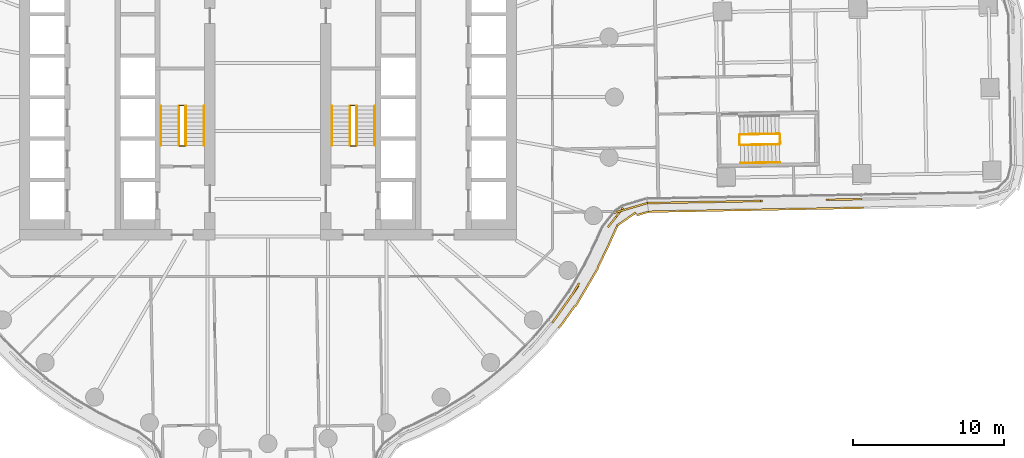
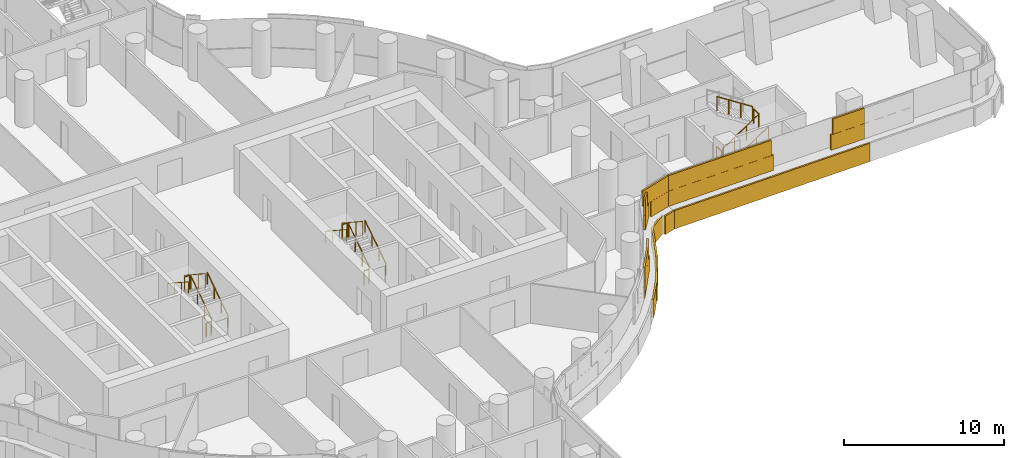
# One storey, part 28 of 31: 17 railings, 2 coverings.
"""IFC4 building model written with IfcOpenShell, lengths in metres."""

import ifcopenshell
import ifcopenshell.guid

model = None  # the IFC model being written
_history = None  # IfcOwnerHistory: only IFC2X3 demands one
_inside = {}  # id of a spatial element -> (the spatial element, [elements in it])
_under = {}  # id of a project, library or spatial element -> (it, [spatial elements below it])
_declared = {}  # id of a project -> (the project, [libraries it declares])
_typed = {}  # id of a type object -> (the type object, [elements of that type])
_made_of = {}  # id of a material, layer set ... -> (it, [elements and type objects made of it])


def new_model(schema):
    """Start an empty IFC model of exactly this schema.

    Asked for "IFC4X3", IfcOpenShell would pick the latest addendum, in which some entities
    have other attributes; the version numbers below select the first issue.
    IFC2X3 requires an IfcOwnerHistory on every rooted entity: one is made here for all.
    """
    global model, _history
    if schema == "IFC4X3":
        model = ifcopenshell.file(schema_version=(4, 3, 0, 0))
    else:
        model = ifcopenshell.file(schema=schema)
    _inside.clear()
    _under.clear()
    _declared.clear()
    _typed.clear()
    _made_of.clear()
    _history = None
    if model.schema == "IFC2X3":
        org = make("IfcOrganization", Name="unknown")
        user = make(
            "IfcPersonAndOrganization",
            ThePerson=make("IfcPerson", FamilyName="unknown"),
            TheOrganization=org,
        )
        app = make(
            "IfcApplication",
            ApplicationDeveloper=org,
            Version="unknown",
            ApplicationFullName="unknown",
            ApplicationIdentifier="unknown",
        )
        _history = make(
            "IfcOwnerHistory",
            OwningUser=user,
            OwningApplication=app,
            ChangeAction="ADDED",
            CreationDate=0,
        )
    return model


def make(cls, **values):
    """One entity of the class cls with the attributes given. An attribute that is None is left unset."""
    return model.create_entity(
        cls, **{name: value for name, value in values.items() if value is not None}
    )


def rooted(cls, **values):
    """An entity with a GlobalId (a new one), such as an element, a storey or a relation."""
    return make(cls, GlobalId=ifcopenshell.guid.new(), OwnerHistory=_history, **values)


def si_unit(unit_type, name, prefix=None):
    """IfcSIUnit, for example si_unit("LENGTHUNIT", "METRE", prefix="MILLI")."""
    return make("IfcSIUnit", UnitType=unit_type, Prefix=prefix, Name=name)


def assignment(units):
    """IfcUnitAssignment: the units of a project."""
    return None if units is None else make("IfcUnitAssignment", Units=units)


def point(xyz):
    """IfcCartesianPoint."""
    return None if xyz is None else make("IfcCartesianPoint", Coordinates=xyz)


def direction(xyz):
    """IfcDirection."""
    return None if xyz is None else make("IfcDirection", DirectionRatios=xyz)


def frame(location, z_axis=None, x_axis=None):
    """IfcAxis2Placement3D, a coordinate frame: its origin and axes. An axis left out is left unset."""
    return make(
        "IfcAxis2Placement3D",
        Location=point(location),
        Axis=direction(z_axis),
        RefDirection=direction(x_axis),
    )


def frame_2d(location, x_axis=None):
    """IfcAxis2Placement2D, a coordinate frame in the plane: its origin and x axis."""
    return make(
        "IfcAxis2Placement2D", Location=point(location), RefDirection=direction(x_axis)
    )


def origin():
    """The frame at (0, 0, 0) with its axes left unset."""
    return frame((0.0, 0.0, 0.0))


def origin_2d():
    """The frame at (0, 0) in the plane with its x axis left unset."""
    return frame_2d((0.0, 0.0))


def place(relative_to, where):
    """IfcLocalPlacement: puts the frame where relative to a parent placement (None: the world)."""
    return make(
        "IfcLocalPlacement", PlacementRelTo=relative_to, RelativePlacement=where
    )


def context(
    kind, dimensions, precision=None, world=None, true_north=None, identifier=None
):
    """IfcGeometricRepresentationContext, for example the 3D "Model" context."""
    return make(
        "IfcGeometricRepresentationContext",
        ContextIdentifier=identifier,
        ContextType=kind,
        CoordinateSpaceDimension=dimensions,
        Precision=precision,
        WorldCoordinateSystem=world,
        TrueNorth=true_north,
    )


def subcontext(parent, identifier, kind, view, scale=None):
    """IfcGeometricRepresentationSubContext, for example "Body" below "Model"."""
    return make(
        "IfcGeometricRepresentationSubContext",
        ContextIdentifier=identifier,
        ContextType=kind,
        ParentContext=parent,
        TargetScale=scale,
        TargetView=view,
    )


def project(units=None, contexts=None):
    """IfcProject with its units and contexts."""
    return rooted(
        "IfcProject",
        Name="project",
        RepresentationContexts=contexts,
        UnitsInContext=assignment(units),
    )


def spatial(cls, under=None, at=None, **own):
    """A site, building, storey or space (cls), placed at a placement, below another one or the project."""
    s = rooted(cls, ObjectPlacement=at, **own)
    if under is not None:
        _under.setdefault(under.id(), (under, []))[1].append(s)
    return s


def profile(cls, at=None, kind="AREA", **sizes):
    """A parametric profile (cls). Its sizes go by their IFC names, for example OverallWidth=200.0."""
    return make(cls, ProfileType=kind, Position=at, **sizes)


def rectangle(**sizes):
    """IfcRectangleProfileDef."""
    return profile("IfcRectangleProfileDef", **sizes)


def circle(**sizes):
    """IfcCircleProfileDef."""
    return profile("IfcCircleProfileDef", **sizes)


def extrude(swept, where, along, depth):
    """IfcExtrudedAreaSolid: the profile swept, set in the frame where, extruded along a direction by depth."""
    return make(
        "IfcExtrudedAreaSolid",
        SweptArea=swept,
        Position=where,
        ExtrudedDirection=direction(along),
        Depth=depth,
    )


def shape(context_of_items, identifier, shape_type, items):
    """IfcShapeRepresentation: the items that make up one representation, for example the "Body"."""
    return make(
        "IfcShapeRepresentation",
        ContextOfItems=context_of_items,
        RepresentationIdentifier=identifier,
        RepresentationType=shape_type,
        Items=items,
    )


def material(Name=None, Category=None):
    """IfcMaterial."""
    return make("IfcMaterial", Name=Name, Category=Category)


def layer(
    of_material, thickness, ventilated=None, Name=None, Category=None, Priority=None
):
    """IfcMaterialLayer: one layer of a wall or slab, of a material (None: an air gap)."""
    return make(
        "IfcMaterialLayer",
        Material=of_material,
        LayerThickness=thickness,
        IsVentilated=ventilated,
        Name=Name,
        Category=Category,
        Priority=Priority,
    )


def layer_set(layers, Name=None):
    """IfcMaterialLayerSet."""
    return make("IfcMaterialLayerSet", MaterialLayers=layers, LayerSetName=Name)


def made_of(thing, what):
    """Note that an element or type object is made of a material, layer set ...; save() writes the relation."""
    if what is not None:
        _made_of.setdefault(what.id(), (what, []))[1].append(thing)
    return thing


def type_object(cls, material=None, **own):
    """A type object (cls), such as IfcWallType, which elements share."""
    return made_of(rooted(cls, **own), material)


def element(
    cls,
    number,
    at=None,
    inside=None,
    cuts=None,
    type_object=None,
    material=None,
    context=None,
    identifier="Body",
    shape_type=None,
    held_by="IfcProductDefinitionShape",
    body=None,
    shapes=None,
    **own,
):
    """One element of the class cls, such as IfcWall. Its Tag is "e" and its number.

    at: its placement. inside: the storey or other place that contains it. cuts: it is an
    opening in that element (IfcRelVoidsElement). A single representation is given by context,
    identifier, shape_type and body (its items); several are given by shapes. held_by: the class
    of the entity that holds the representations. save() writes the other relations.
    """
    e = rooted(cls, Tag="e%d" % number, ObjectPlacement=at, **own)
    if body is not None:
        shapes = [shape(context, identifier, shape_type, body)]
    if shapes is not None:
        e.Representation = make(held_by, Representations=shapes)
    if inside is not None:
        _inside.setdefault(inside.id(), (inside, []))[1].append(e)
    if cuts is not None:
        rooted(
            "IfcRelVoidsElement", RelatingBuildingElement=cuts, RelatedOpeningElement=e
        )
    if type_object is not None:
        _typed.setdefault(type_object.id(), (type_object, []))[1].append(e)
    return made_of(e, material)


def aggregate(whole, parts):
    """IfcRelAggregates: a whole, such as a stair, and the parts it consists of."""
    return rooted("IfcRelAggregates", RelatingObject=whole, RelatedObjects=parts)


def save(model, path):
    """Write the relations noted so far, then the file.

    IfcRelAggregates (storeys below a building ...), IfcRelContainedInSpatialStructure (elements
    in a storey), IfcRelDefinesByType, IfcRelAssociatesMaterial and IfcRelDeclares: one each for
    every whole, place, type object, material and project.
    """
    for whole, parts in _under.values():
        aggregate(whole, parts)
    for where, things in _inside.values():
        rooted(
            "IfcRelContainedInSpatialStructure",
            RelatedElements=things,
            RelatingStructure=where,
        )
    for kind, things in _typed.values():
        rooted("IfcRelDefinesByType", RelatedObjects=things, RelatingType=kind)
    for what, things in _made_of.values():
        rooted("IfcRelAssociatesMaterial", RelatedObjects=things, RelatingMaterial=what)
    for by, libraries in _declared.values():
        rooted("IfcRelDeclares", RelatingContext=by, RelatedDefinitions=libraries)
    model.write(path)


model = new_model("IFC4")

# Units and contexts
model_context = context("Model", 3, precision=1e-05, world=origin(), true_north=direction((0.0, 1.0)))
body_context = subcontext(model_context, "Body", "Model", "MODEL_VIEW")
ifc_project = project(units=[si_unit("LENGTHUNIT", "METRE"), si_unit("AREAUNIT", "SQUARE_METRE"), si_unit("VOLUMEUNIT", "CUBIC_METRE"), si_unit("PLANEANGLEUNIT", "RADIAN"), si_unit("MASSUNIT", "GRAM", prefix="KILO")], contexts=[model_context])

# Site, building, storey
site_placement = place(None, origin())
site = spatial("IfcSite", under=ifc_project, at=site_placement, CompositionType="ELEMENT")
building_placement = place(site_placement, origin())
building = spatial("IfcBuilding", under=site, at=building_placement, Name="Tamarind Cross Interchange Tower", CompositionType="ELEMENT")
storey_placement = place(building_placement, frame((0.0, 0.0, 37.75)))
storey = spatial("IfcBuildingStorey", under=building, at=storey_placement, Name="L07", CompositionType="ELEMENT", Elevation=37.75)

# Railings
ifc_material_1 = material(Name="Stair guard")
railing_type_1 = type_object("IfcRailingType", Name="Stair guard", PredefinedType="GUARDRAIL", material=ifc_material_1)
railing_1_placement = place(storey_placement, frame((-5.449951171875, -3.199951171875, 0.17041015625)))
element("IfcRailing", 1, at=railing_1_placement, inside=storey, type_object=railing_type_1, Name="L07 ST1 stair guard 1", PredefinedType="GUARDRAIL", context=body_context, shape_type="SweptSolid", body=[
    extrude(circle(Radius=0.02392578125, at=origin_2d()), frame((0.0, 0.0, 1.076171875), z_axis=(0.0, 0.836278606002, 0.548304744775), x_axis=(-1.0, 0.0, 0.0)), (0.0, 0.0, 1.0), 3.10888671875),
    extrude(circle(Radius=0.02099609375, at=origin_2d()), origin(), (0.0, 0.0, 1.0), 1.052001953125),
    extrude(circle(Radius=0.02099609375, at=origin_2d()), frame((0.0, 0.86669921875, 0.568115234375)), (0.0, 0.0, 1.0), 1.052001953125),
    extrude(circle(Radius=0.02099609375, at=origin_2d()), frame((0.0, 1.733154296875, 1.136474609375)), (0.0, 0.0, 1.0), 1.052001953125),
    extrude(circle(Radius=0.02099609375, at=origin_2d()), frame((0.0, 2.599853515625, 1.70458984375)), (0.0, 0.0, 1.0), 1.052001953125),
])
railing_2_placement = place(storey_placement, frame((-5.5, -0.550048828125, 1.875)))
element("IfcRailing", 2, at=railing_2_placement, inside=storey, type_object=railing_type_1, Name="L07 ST1 stair guard 2", PredefinedType="GUARDRAIL", context=body_context, shape_type="SweptSolid", body=[
    extrude(circle(Radius=0.02392578125, at=origin_2d()), frame((0.0, 0.0, 1.076171875), z_axis=(-1.0, 0.0, 0.0), x_axis=(0.0, -1.0, 0.0)), (0.0, 0.0, 1.0), 0.35009765625),
    extrude(circle(Radius=0.02099609375, at=origin_2d()), origin(), (0.0, 0.0, 1.0), 1.052001953125),
    extrude(circle(Radius=0.02099609375, at=origin_2d()), frame((-0.35009765625, 0.0, 0.0)), (0.0, 0.0, 1.0), 1.052001953125),
])
railing_3_placement = place(storey_placement, frame((-5.89990234375, -0.60009765625, 2.04541015625)))
element("IfcRailing", 3, at=railing_3_placement, inside=storey, type_object=railing_type_1, Name="L07 ST1 stair guard 3", PredefinedType="GUARDRAIL", context=body_context, shape_type="SweptSolid", body=[
    extrude(circle(Radius=0.02392578125, at=origin_2d()), frame((0.0, 0.0, 1.076171875), z_axis=(0.0, -0.836278606002, 0.548304744775), x_axis=(1.0, 0.0, 0.0)), (0.0, 0.0, 1.0), 3.10888671875),
    extrude(circle(Radius=0.02099609375, at=origin_2d()), origin(), (0.0, 0.0, 1.0), 1.052001953125),
    extrude(circle(Radius=0.02099609375, at=origin_2d()), frame((0.0, -0.86669921875, 0.568115234375)), (0.0, 0.0, 1.0), 1.052001953125),
    extrude(circle(Radius=0.02099609375, at=origin_2d()), frame((0.0, -1.733154296875, 1.136474609375)), (0.0, 0.0, 1.0), 1.052001953125),
    extrude(circle(Radius=0.02099609375, at=origin_2d()), frame((0.0, -2.599853515625, 1.70458984375)), (0.0, 0.0, 1.0), 1.052001953125),
])
railing_4_placement = place(storey_placement, frame((-5.5, -3.25, 0.0)))
element("IfcRailing", 4, at=railing_4_placement, inside=storey, type_object=railing_type_1, Name="L07 ST1 stair guard 4", PredefinedType="GUARDRAIL", context=body_context, shape_type="SweptSolid", body=[
    extrude(circle(Radius=0.02392578125, at=origin_2d()), frame((0.0, 0.0, 1.076171875), z_axis=(-1.0, 0.0, 0.0), x_axis=(0.0, -1.0, 0.0)), (0.0, 0.0, 1.0), 0.35009765625),
    extrude(circle(Radius=0.02099609375, at=origin_2d()), origin(), (0.0, 0.0, 1.0), 1.052001953125),
    extrude(circle(Radius=0.02099609375, at=origin_2d()), frame((-0.35009765625, 0.0, 0.0)), (0.0, 0.0, 1.0), 1.052001953125),
])
railing_5_placement = place(storey_placement, frame((5.89990234375, -3.199951171875, 0.17041015625)))
element("IfcRailing", 5, at=railing_5_placement, inside=storey, type_object=railing_type_1, Name="L07 ST2 stair guard 1", PredefinedType="GUARDRAIL", context=body_context, shape_type="SweptSolid", body=[
    extrude(circle(Radius=0.02392578125, at=origin_2d()), frame((0.0, 0.0, 1.076171875), z_axis=(0.0, 0.836278606002, 0.548304744775), x_axis=(-1.0, 0.0, 0.0)), (0.0, 0.0, 1.0), 3.10888671875),
    extrude(circle(Radius=0.02099609375, at=origin_2d()), origin(), (0.0, 0.0, 1.0), 1.052001953125),
    extrude(circle(Radius=0.02099609375, at=origin_2d()), frame((0.0, 0.86669921875, 0.568115234375)), (0.0, 0.0, 1.0), 1.052001953125),
    extrude(circle(Radius=0.02099609375, at=origin_2d()), frame((0.0, 1.733154296875, 1.136474609375)), (0.0, 0.0, 1.0), 1.052001953125),
    extrude(circle(Radius=0.02099609375, at=origin_2d()), frame((0.0, 2.599853515625, 1.70458984375)), (0.0, 0.0, 1.0), 1.052001953125),
])
railing_6_placement = place(storey_placement, frame((5.85009765625, -0.550048828125, 1.875)))
element("IfcRailing", 6, at=railing_6_placement, inside=storey, type_object=railing_type_1, Name="L07 ST2 stair guard 2", PredefinedType="GUARDRAIL", context=body_context, shape_type="SweptSolid", body=[
    extrude(circle(Radius=0.02392578125, at=origin_2d()), frame((0.0, 0.0, 1.076171875), z_axis=(-1.0, 0.0, 0.0), x_axis=(0.0, -1.0, 0.0)), (0.0, 0.0, 1.0), 0.35009765625),
    extrude(circle(Radius=0.02099609375, at=origin_2d()), origin(), (0.0, 0.0, 1.0), 1.052001953125),
    extrude(circle(Radius=0.02099609375, at=origin_2d()), frame((-0.35009765625, 0.0, 0.0)), (0.0, 0.0, 1.0), 1.052001953125),
])
railing_7_placement = place(storey_placement, frame((5.449951171875, -0.60009765625, 2.04541015625)))
element("IfcRailing", 7, at=railing_7_placement, inside=storey, type_object=railing_type_1, Name="L07 ST2 stair guard 3", PredefinedType="GUARDRAIL", context=body_context, shape_type="SweptSolid", body=[
    extrude(circle(Radius=0.02392578125, at=origin_2d()), frame((0.0, 0.0, 1.076171875), z_axis=(0.0, -0.836278606002, 0.548304744775), x_axis=(1.0, 0.0, 0.0)), (0.0, 0.0, 1.0), 3.10888671875),
    extrude(circle(Radius=0.02099609375, at=origin_2d()), origin(), (0.0, 0.0, 1.0), 1.052001953125),
    extrude(circle(Radius=0.02099609375, at=origin_2d()), frame((0.0, -0.86669921875, 0.568115234375)), (0.0, 0.0, 1.0), 1.052001953125),
    extrude(circle(Radius=0.02099609375, at=origin_2d()), frame((0.0, -1.733154296875, 1.136474609375)), (0.0, 0.0, 1.0), 1.052001953125),
    extrude(circle(Radius=0.02099609375, at=origin_2d()), frame((0.0, -2.599853515625, 1.70458984375)), (0.0, 0.0, 1.0), 1.052001953125),
])
railing_8_placement = place(storey_placement, frame((5.85009765625, -3.25, 0.0)))
element("IfcRailing", 8, at=railing_8_placement, inside=storey, type_object=railing_type_1, Name="L07 ST2 stair guard 4", PredefinedType="GUARDRAIL", context=body_context, shape_type="SweptSolid", body=[
    extrude(circle(Radius=0.02392578125, at=origin_2d()), frame((0.0, 0.0, 1.076171875), z_axis=(-1.0, 0.0, 0.0), x_axis=(0.0, -1.0, 0.0)), (0.0, 0.0, 1.0), 0.35009765625),
    extrude(circle(Radius=0.02099609375, at=origin_2d()), origin(), (0.0, 0.0, 1.0), 1.052001953125),
    extrude(circle(Radius=0.02099609375, at=origin_2d()), frame((-0.35009765625, 0.0, 0.0)), (0.0, 0.0, 1.0), 1.052001953125),
])
railing_9_placement = place(storey_placement, frame((31.359619140625, -3.179931640625, 0.17041015625)))
element("IfcRailing", 9, at=railing_9_placement, inside=storey, type_object=railing_type_1, Name="L07 ST3 stair guard 1", PredefinedType="GUARDRAIL", context=body_context, shape_type="SweptSolid", body=[
    extrude(circle(Radius=0.02392578125, at=origin_2d()), frame((0.0, 0.0, 1.076171875), z_axis=(0.836134321691, 0.015235283029, 0.548313124265), x_axis=(-0.01821807112, 0.999834037171, 0.0)), (0.0, 0.0, 1.0), 3.10888671875),
    extrude(circle(Radius=0.02099609375, at=origin_2d()), origin(), (0.0, 0.0, 1.0), 1.052001953125),
    extrude(circle(Radius=0.02099609375, at=origin_2d()), frame((0.866455078125, 0.015869140625, 0.568115234375)), (0.0, 0.0, 1.0), 1.052001953125),
    extrude(circle(Radius=0.02099609375, at=origin_2d()), frame((1.73291015625, 0.031494140625, 1.136474609375)), (0.0, 0.0, 1.0), 1.052001953125),
    extrude(circle(Radius=0.02099609375, at=origin_2d()), frame((2.599365234375, 0.04736328125, 1.70458984375)), (0.0, 0.0, 1.0), 1.052001953125),
])
railing_10_placement = place(storey_placement, frame((34.00830078125, -3.08154296875, 1.875)))
element("IfcRailing", 10, at=railing_10_placement, inside=storey, type_object=railing_type_1, Name="L07 ST3 stair guard 2", PredefinedType="GUARDRAIL", context=body_context, shape_type="SweptSolid", body=[
    extrude(circle(Radius=0.02392578125, at=origin_2d()), frame((0.0, 0.0, 1.076171875), z_axis=(-0.018311947294, 0.999832322235, 0.0), x_axis=(-0.999832322235, -0.018311947294, 0.0)), (0.0, 0.0, 1.0), 0.599853515625),
    extrude(circle(Radius=0.02099609375, at=origin_2d()), origin(), (0.0, 0.0, 1.0), 1.052001953125),
    extrude(circle(Radius=0.02099609375, at=origin_2d()), frame((-0.010986328125, 0.599853515625, 0.0)), (0.0, 0.0, 1.0), 1.052001953125),
])
railing_11_placement = place(storey_placement, frame((33.9462890625, -2.4326171875, 2.04541015625)))
element("IfcRailing", 11, at=railing_11_placement, inside=storey, type_object=railing_type_1, Name="L07 ST3 stair guard 3", PredefinedType="GUARDRAIL", context=body_context, shape_type="SweptSolid", body=[
    extrude(circle(Radius=0.02392578125, at=origin_2d()), frame((0.0, 0.0, 1.076171875), z_axis=(-0.836157948141, -0.015234282677, 0.548277121893), x_axis=(0.018216360749, -0.999834068334, 0.0)), (0.0, 0.0, 1.0), 3.10888671875),
    extrude(circle(Radius=0.02099609375, at=origin_2d()), origin(), (0.0, 0.0, 1.0), 1.052001953125),
    extrude(circle(Radius=0.02099609375, at=origin_2d()), frame((-0.866455078125, -0.015869140625, 0.568115234375)), (0.0, 0.0, 1.0), 1.052001953125),
    extrude(circle(Radius=0.02099609375, at=origin_2d()), frame((-1.733154296875, -0.031494140625, 1.136474609375)), (0.0, 0.0, 1.0), 1.052001953125),
    extrude(circle(Radius=0.02099609375, at=origin_2d()), frame((-2.599609375, -0.04736328125, 1.70458984375)), (0.0, 0.0, 1.0), 1.052001953125),
])
railing_12_placement = place(storey_placement, frame((31.30859375, -3.130859375, 0.0)))
element("IfcRailing", 12, at=railing_12_placement, inside=storey, type_object=railing_type_1, Name="L07 ST3 stair guard 4", PredefinedType="GUARDRAIL", context=body_context, shape_type="SweptSolid", body=[
    extrude(circle(Radius=0.02392578125, at=origin_2d()), frame((0.0, 0.0, 1.076171875), z_axis=(-0.018311947294, 0.999832322235, 0.0), x_axis=(-0.999832322235, -0.018311947294, 0.0)), (0.0, 0.0, 1.0), 0.599853515625),
    extrude(circle(Radius=0.02099609375, at=origin_2d()), origin(), (0.0, 0.0, 1.0), 1.052001953125),
    extrude(circle(Radius=0.02099609375, at=origin_2d()), frame((-0.010986328125, 0.599853515625, 0.0)), (0.0, 0.0, 1.0), 1.052001953125),
])
ifc_material_2 = material(Name="Stair handrail")
railing_type_2 = type_object("IfcRailingType", Name="Stair handrail", PredefinedType="HANDRAIL", material=ifc_material_2)
railing_13_placement = place(storey_placement, frame((-4.25, -3.199951171875, 0.17041015625)))
element("IfcRailing", 13, at=railing_13_placement, inside=storey, type_object=railing_type_2, Name="L07 ST1 stair handrail 1", PredefinedType="HANDRAIL", context=body_context, shape_type="SweptSolid", body=[
    extrude(circle(Radius=0.02392578125, at=origin_2d()), frame((0.0, 0.0, 0.8759765625), z_axis=(0.0, 0.836278606002, 0.548304744775), x_axis=(-1.0, 0.0, 0.0)), (0.0, 0.0, 1.0), 3.10888671875),
    extrude(circle(Radius=0.02099609375, at=origin_2d()), origin(), (0.0, 0.0, 1.0), 0.851806640625),
    extrude(circle(Radius=0.02099609375, at=origin_2d()), frame((0.0, 0.86669921875, 0.568115234375)), (0.0, 0.0, 1.0), 0.851806640625),
    extrude(circle(Radius=0.02099609375, at=origin_2d()), frame((0.0, 1.733154296875, 1.136474609375)), (0.0, 0.0, 1.0), 0.851806640625),
    extrude(circle(Radius=0.02099609375, at=origin_2d()), frame((0.0, 2.599853515625, 1.70458984375)), (0.0, 0.0, 1.0), 0.851806640625),
])
railing_14_placement = place(storey_placement, frame((-7.10009765625, -0.60009765625, 2.04541015625)))
element("IfcRailing", 14, at=railing_14_placement, inside=storey, type_object=railing_type_2, Name="L07 ST1 stair handrail 2", PredefinedType="HANDRAIL", context=body_context, shape_type="SweptSolid", body=[
    extrude(circle(Radius=0.02392578125, at=origin_2d()), frame((0.0, 0.0, 0.8759765625), z_axis=(0.0, -0.836278606002, 0.548304744775), x_axis=(1.0, 0.0, 0.0)), (0.0, 0.0, 1.0), 3.10888671875),
    extrude(circle(Radius=0.02099609375, at=origin_2d()), origin(), (0.0, 0.0, 1.0), 0.851806640625),
    extrude(circle(Radius=0.02099609375, at=origin_2d()), frame((0.0, -0.86669921875, 0.568115234375)), (0.0, 0.0, 1.0), 0.851806640625),
    extrude(circle(Radius=0.02099609375, at=origin_2d()), frame((0.0, -1.733154296875, 1.136474609375)), (0.0, 0.0, 1.0), 0.851806640625),
    extrude(circle(Radius=0.02099609375, at=origin_2d()), frame((0.0, -2.599853515625, 1.70458984375)), (0.0, 0.0, 1.0), 0.851806640625),
])
railing_15_placement = place(storey_placement, frame((7.10009765625, -3.199951171875, 0.17041015625)))
element("IfcRailing", 15, at=railing_15_placement, inside=storey, type_object=railing_type_2, Name="L07 ST2 stair handrail 1", PredefinedType="HANDRAIL", context=body_context, shape_type="SweptSolid", body=[
    extrude(circle(Radius=0.02392578125, at=origin_2d()), frame((0.0, 0.0, 0.8759765625), z_axis=(0.0, 0.836278606002, 0.548304744775), x_axis=(-1.0, 0.0, 0.0)), (0.0, 0.0, 1.0), 3.10888671875),
    extrude(circle(Radius=0.02099609375, at=origin_2d()), origin(), (0.0, 0.0, 1.0), 0.851806640625),
    extrude(circle(Radius=0.02099609375, at=origin_2d()), frame((0.0, 0.86669921875, 0.568115234375)), (0.0, 0.0, 1.0), 0.851806640625),
    extrude(circle(Radius=0.02099609375, at=origin_2d()), frame((0.0, 1.733154296875, 1.136474609375)), (0.0, 0.0, 1.0), 0.851806640625),
    extrude(circle(Radius=0.02099609375, at=origin_2d()), frame((0.0, 2.599853515625, 1.70458984375)), (0.0, 0.0, 1.0), 0.851806640625),
])
railing_16_placement = place(storey_placement, frame((4.25, -0.60009765625, 2.04541015625)))
element("IfcRailing", 16, at=railing_16_placement, inside=storey, type_object=railing_type_2, Name="L07 ST2 stair handrail 2", PredefinedType="HANDRAIL", context=body_context, shape_type="SweptSolid", body=[
    extrude(circle(Radius=0.02392578125, at=origin_2d()), frame((0.0, 0.0, 0.8759765625), z_axis=(0.0, -0.836278606002, 0.548304744775), x_axis=(1.0, 0.0, 0.0)), (0.0, 0.0, 1.0), 3.10888671875),
    extrude(circle(Radius=0.02099609375, at=origin_2d()), origin(), (0.0, 0.0, 1.0), 0.851806640625),
    extrude(circle(Radius=0.02099609375, at=origin_2d()), frame((0.0, -0.86669921875, 0.568115234375)), (0.0, 0.0, 1.0), 0.851806640625),
    extrude(circle(Radius=0.02099609375, at=origin_2d()), frame((0.0, -1.733154296875, 1.136474609375)), (0.0, 0.0, 1.0), 0.851806640625),
    extrude(circle(Radius=0.02099609375, at=origin_2d()), frame((0.0, -2.599853515625, 1.70458984375)), (0.0, 0.0, 1.0), 0.851806640625),
])
railing_17_placement = place(storey_placement, frame((31.38134765625, -4.379638671875, 0.17041015625)))
element("IfcRailing", 17, at=railing_17_placement, inside=storey, type_object=railing_type_2, Name="L07 ST3 stair handrail 1", PredefinedType="HANDRAIL", context=body_context, shape_type="SweptSolid", body=[
    extrude(circle(Radius=0.02392578125, at=origin_2d()), frame((0.0, 0.0, 0.8759765625), z_axis=(0.836157948141, 0.015234282677, 0.548277121893), x_axis=(-0.018216360749, 0.999834068334, 0.0)), (0.0, 0.0, 1.0), 3.10888671875),
    extrude(circle(Radius=0.02099609375, at=origin_2d()), origin(), (0.0, 0.0, 1.0), 0.851806640625),
    extrude(circle(Radius=0.02099609375, at=origin_2d()), frame((0.866455078125, 0.015869140625, 0.568115234375)), (0.0, 0.0, 1.0), 0.851806640625),
    extrude(circle(Radius=0.02099609375, at=origin_2d()), frame((1.733154296875, 0.031494140625, 1.136474609375)), (0.0, 0.0, 1.0), 0.851806640625),
    extrude(circle(Radius=0.02099609375, at=origin_2d()), frame((2.599609375, 0.04736328125, 1.70458984375)), (0.0, 0.0, 1.0), 0.851806640625),
])

# Coverings
ifc_material_3 = material(Name="Terracotta", Category="masonry")
ifc_layer = layer(ifc_material_3, 0.1201171875)
ifc_layer_set = layer_set([ifc_layer], Name="Terracotta")
covering_type = type_object("IfcCoveringType", Name="Terracotta baguette screen unit", PredefinedType="MOLDING", material=ifc_layer_set)
covering_1_placement = place(storey_placement, origin())
element("IfcCovering", 18, at=covering_1_placement, inside=storey, type_object=covering_type, Name="SCR-L07-10-01", PredefinedType="MOLDING", context=body_context, shape_type="SweptSolid", body=[
    extrude(rectangle(XDim=1.50341796875, YDim=0.1201171875, at=origin_2d()), frame((19.311279296875, -14.371826171875, 1.404052734375), z_axis=(0.0, 0.0, 1.0), x_axis=(0.577568978284, 0.816341886298, 0.0)), (0.0, 0.0, 1.0), 1.1669921875),
    extrude(rectangle(XDim=1.52001953125, YDim=0.1201171875, at=origin_2d()), frame((20.17578125, -13.150146484375, 1.404052734375), z_axis=(0.0, 0.0, 1.0), x_axis=(0.577568978284, 0.816341886298, 0.0)), (0.0, 0.0, 1.0), 1.1669921875),
    extrude(rectangle(XDim=1.52001953125, YDim=0.1201171875, at=origin_2d()), frame((23.116943359375, -7.944580078125, 1.404052734375), z_axis=(0.0, 0.0, 1.0), x_axis=(0.618760035148, 0.785580052511, 0.0)), (0.0, 0.0, 1.0), 1.1669921875),
    extrude(rectangle(XDim=1.52001953125, YDim=0.1201171875, at=origin_2d()), frame((24.4111328125, -7.261474609375, 1.404052734375), z_axis=(0.0, 0.0, 1.0), x_axis=(0.959289917057, 0.282423184305, 0.0)), (0.0, 0.0, 1.0), 1.1669921875),
    extrude(rectangle(XDim=0.068603515625, YDim=0.1201171875, at=origin_2d()), frame((25.15869140625, -7.041259765625, 1.404052734375), z_axis=(0.0, 0.0, 1.0), x_axis=(0.959289917057, 0.282423184305, 0.0)), (0.0, 0.0, 1.0), 1.1669921875),
    extrude(rectangle(XDim=0.75341796875, YDim=0.1201171875, at=origin_2d()), frame((19.0947265625, -14.677978515625, 2.5791015625), z_axis=(0.0, 0.0, 1.0), x_axis=(0.577568978284, 0.816341886298, 0.0)), (0.0, 0.0, 1.0), 1.1669921875),
    extrude(rectangle(XDim=1.52001953125, YDim=0.1201171875, at=origin_2d()), frame((19.74267578125, -13.76220703125, 2.5791015625), z_axis=(0.0, 0.0, 1.0), x_axis=(0.577568978284, 0.816341886298, 0.0)), (0.0, 0.0, 1.0), 1.1669921875),
    extrude(rectangle(XDim=0.942626953125, YDim=0.1201171875, at=origin_2d()), frame((20.418212890625, -12.751953125, 2.5791015625), z_axis=(0.0, 0.0, 1.0), x_axis=(0.508183308752, 0.861248933065, 0.0)), (0.0, 0.0, 1.0), 1.1669921875),
    extrude(rectangle(XDim=0.87744140625, YDim=0.1201171875, at=origin_2d()), frame((22.848388671875, -8.28515625, 2.5791015625), z_axis=(0.0, 0.0, 1.0), x_axis=(0.618760035148, 0.785580052511, 0.0)), (0.0, 0.0, 1.0), 1.1669921875),
    extrude(rectangle(XDim=1.52001953125, YDim=0.1201171875, at=origin_2d()), frame((23.691650390625, -7.473388671875, 2.5791015625), z_axis=(0.0, 0.0, 1.0), x_axis=(0.959289917057, 0.282423184305, 0.0)), (0.0, 0.0, 1.0), 1.1669921875),
    extrude(rectangle(XDim=0.818603515625, YDim=0.1201171875, at=origin_2d()), frame((24.798828125, -7.147216796875, 2.5791015625), z_axis=(0.0, 0.0, 1.0), x_axis=(0.959289917057, 0.282423184305, 0.0)), (0.0, 0.0, 1.0), 1.1669921875),
    extrude(rectangle(XDim=0.315673828125, YDim=0.1201171875, at=origin_2d()), frame((19.40966796875, -15.200927734375, 0.00390625), z_axis=(0.0, 0.0, 1.0), x_axis=(0.643009266048, 0.765858396687, 0.0)), (0.0, 0.0, 1.0), 1.39208984375),
    extrude(rectangle(XDim=1.52001953125, YDim=0.1201171875, at=origin_2d()), frame((19.940185546875, -14.47705078125, 0.00390625), z_axis=(0.0, 0.0, 1.0), x_axis=(0.577568978284, 0.816341886298, 0.0)), (0.0, 0.0, 1.0), 1.39208984375),
    extrude(rectangle(XDim=1.52001953125, YDim=0.1201171875, at=origin_2d()), frame((20.7939453125, -13.24462890625, 0.00390625), z_axis=(0.0, 0.0, 1.0), x_axis=(0.508183308752, 0.861248933065, 0.0)), (0.0, 0.0, 1.0), 1.39208984375),
    extrude(rectangle(XDim=1.52001953125, YDim=0.1201171875, at=origin_2d()), frame((21.556396484375, -11.95263671875, 0.00390625), z_axis=(0.0, 0.0, 1.0), x_axis=(0.508183308752, 0.861248933065, 0.0)), (0.0, 0.0, 1.0), 1.39208984375),
    extrude(rectangle(XDim=1.52001953125, YDim=0.1201171875, at=origin_2d()), frame((22.2353515625, -10.6162109375, 0.00390625), z_axis=(0.0, 0.0, 1.0), x_axis=(0.435326231914, 0.900272776334, 0.0)), (0.0, 0.0, 1.0), 1.39208984375),
    extrude(rectangle(XDim=1.52001953125, YDim=0.1201171875, at=origin_2d()), frame((22.871826171875, -9.258056640625, 0.00390625), z_axis=(0.0, 0.0, 1.0), x_axis=(0.408465736607, 0.912773653223, 0.0)), (0.0, 0.0, 1.0), 1.39208984375),
    extrude(rectangle(XDim=1.52001953125, YDim=0.1201171875, at=origin_2d()), frame((23.798583984375, -8.096435546875, 0.00390625), z_axis=(0.0, 0.0, 1.0), x_axis=(0.820506162857, 0.571637679579, 0.0)), (0.0, 0.0, 1.0), 1.39208984375),
    extrude(rectangle(XDim=0.823486328125, YDim=0.1201171875, at=origin_2d()), frame((24.879638671875, -7.721923828125, 0.00390625), z_axis=(0.0, 0.0, 1.0), x_axis=(0.959289917057, 0.282423184305, 0.0)), (0.0, 0.0, 1.0), 1.39208984375),
])
covering_2_placement = place(storey_placement, origin())
element("IfcCovering", 19, at=covering_2_placement, inside=storey, type_object=covering_type, Name="SCR-L07-11-00", PredefinedType="MOLDING", context=body_context, shape_type="SweptSolid", body=[
    extrude(rectangle(XDim=0.760009765625, YDim=0.1201171875, at=origin_2d()), frame((25.561767578125, -7.026123046875, 1.404052734375), z_axis=(0.0, 0.0, 1.0), x_axis=(0.999833743347, 0.018234189439, 0.0)), (0.0, 0.0, 1.0), 1.1669921875),
    extrude(rectangle(XDim=1.52001953125, YDim=0.1201171875, at=origin_2d()), frame((26.6865234375, -7.005615234375, 1.404052734375), z_axis=(0.0, 0.0, 1.0), x_axis=(0.999833743347, 0.018234189439, 0.0)), (0.0, 0.0, 1.0), 1.1669921875),
    extrude(rectangle(XDim=1.52001953125, YDim=0.1201171875, at=origin_2d()), frame((28.186279296875, -6.978271484375, 1.404052734375), z_axis=(0.0, 0.0, 1.0), x_axis=(0.999833743347, 0.018234189439, 0.0)), (0.0, 0.0, 1.0), 1.1669921875),
    extrude(rectangle(XDim=1.52001953125, YDim=0.1201171875, at=origin_2d()), frame((29.68603515625, -6.950927734375, 1.404052734375), z_axis=(0.0, 0.0, 1.0), x_axis=(0.999833743347, 0.018234189439, 0.0)), (0.0, 0.0, 1.0), 1.1669921875),
    extrude(rectangle(XDim=1.52001953125, YDim=0.1201171875, at=origin_2d()), frame((31.185791015625, -6.923583984375, 1.404052734375), z_axis=(0.0, 0.0, 1.0), x_axis=(0.999833743347, 0.018234189439, 0.0)), (0.0, 0.0, 1.0), 1.1669921875),
    extrude(rectangle(XDim=0.9140625, YDim=0.1201171875, at=origin_2d()), frame((32.3876953125, -6.90185546875, 1.404052734375), z_axis=(0.0, 0.0, 1.0), x_axis=(0.999833743347, 0.018234189439, 0.0)), (0.0, 0.0, 1.0), 1.1669921875),
    extrude(rectangle(XDim=0.906005859375, YDim=0.1201171875, at=origin_2d()), frame((37.48681640625, -6.808837890625, 1.404052734375), z_axis=(0.0, 0.0, 1.0), x_axis=(0.999833743347, 0.018234189439, 0.0)), (0.0, 0.0, 1.0), 1.1669921875),
    extrude(rectangle(XDim=1.52001953125, YDim=0.1201171875, at=origin_2d()), frame((38.6845703125, -6.786865234375, 1.404052734375), z_axis=(0.0, 0.0, 1.0), x_axis=(0.999833743347, 0.018234189439, 0.0)), (0.0, 0.0, 1.0), 1.1669921875),
    extrude(rectangle(XDim=1.510009765625, YDim=0.1201171875, at=origin_2d()), frame((25.936767578125, -7.019287109375, 2.5791015625), z_axis=(0.0, 0.0, 1.0), x_axis=(0.999833743347, 0.018234189439, 0.0)), (0.0, 0.0, 1.0), 1.1669921875),
    extrude(rectangle(XDim=1.52001953125, YDim=0.1201171875, at=origin_2d()), frame((27.4365234375, -6.991943359375, 2.5791015625), z_axis=(0.0, 0.0, 1.0), x_axis=(0.999833743347, 0.018234189439, 0.0)), (0.0, 0.0, 1.0), 1.1669921875),
    extrude(rectangle(XDim=1.52001953125, YDim=0.1201171875, at=origin_2d()), frame((28.936279296875, -6.964599609375, 2.5791015625), z_axis=(0.0, 0.0, 1.0), x_axis=(0.999833743347, 0.018234189439, 0.0)), (0.0, 0.0, 1.0), 1.1669921875),
    extrude(rectangle(XDim=1.52001953125, YDim=0.1201171875, at=origin_2d()), frame((30.43603515625, -6.937255859375, 2.5791015625), z_axis=(0.0, 0.0, 1.0), x_axis=(0.999833743347, 0.018234189439, 0.0)), (0.0, 0.0, 1.0), 1.1669921875),
    extrude(rectangle(XDim=1.52001953125, YDim=0.1201171875, at=origin_2d()), frame((31.935791015625, -6.909912109375, 2.5791015625), z_axis=(0.0, 0.0, 1.0), x_axis=(0.999833743347, 0.018234189439, 0.0)), (0.0, 0.0, 1.0), 1.1669921875),
    extrude(rectangle(XDim=1.52001953125, YDim=0.1201171875, at=origin_2d()), frame((37.9345703125, -6.800537109375, 2.5791015625), z_axis=(0.0, 0.0, 1.0), x_axis=(0.999833743347, 0.018234189439, 0.0)), (0.0, 0.0, 1.0), 1.1669921875),
    extrude(rectangle(XDim=0.763916015625, YDim=0.1201171875, at=origin_2d()), frame((39.0615234375, -6.780029296875, 2.5791015625), z_axis=(0.0, 0.0, 1.0), x_axis=(0.999833743347, 0.018234189439, 0.0)), (0.0, 0.0, 1.0), 1.1669921875),
    extrude(rectangle(XDim=0.760009765625, YDim=0.1201171875, at=origin_2d()), frame((25.654541015625, -7.5986328125, 0.00390625), z_axis=(0.0, 0.0, 1.0), x_axis=(0.999833743347, 0.018234189439, 0.0)), (0.0, 0.0, 1.0), 1.39208984375),
    extrude(rectangle(XDim=1.52001953125, YDim=0.1201171875, at=origin_2d()), frame((26.7744140625, -7.578125, 0.00390625), z_axis=(0.0, 0.0, 1.0), x_axis=(0.999833743347, 0.018234189439, 0.0)), (0.0, 0.0, 1.0), 1.39208984375),
    extrude(rectangle(XDim=1.52001953125, YDim=0.1201171875, at=origin_2d()), frame((28.274169921875, -7.55078125, 0.00390625), z_axis=(0.0, 0.0, 1.0), x_axis=(0.999833743347, 0.018234189439, 0.0)), (0.0, 0.0, 1.0), 1.39208984375),
    extrude(rectangle(XDim=1.52001953125, YDim=0.1201171875, at=origin_2d()), frame((29.77392578125, -7.5234375, 0.00390625), z_axis=(0.0, 0.0, 1.0), x_axis=(0.999833743347, 0.018234189439, 0.0)), (0.0, 0.0, 1.0), 1.39208984375),
    extrude(rectangle(XDim=1.52001953125, YDim=0.1201171875, at=origin_2d()), frame((31.273681640625, -7.49609375, 0.00390625), z_axis=(0.0, 0.0, 1.0), x_axis=(0.999833743347, 0.018234189439, 0.0)), (0.0, 0.0, 1.0), 1.39208984375),
    extrude(rectangle(XDim=1.52001953125, YDim=0.1201171875, at=origin_2d()), frame((32.7734375, -7.46875, 0.00390625), z_axis=(0.0, 0.0, 1.0), x_axis=(0.999833743347, 0.018234189439, 0.0)), (0.0, 0.0, 1.0), 1.39208984375),
    extrude(rectangle(XDim=1.52001953125, YDim=0.1201171875, at=origin_2d()), frame((34.273193359375, -7.44140625, 0.00390625), z_axis=(0.0, 0.0, 1.0), x_axis=(0.999833743347, 0.018234189439, 0.0)), (0.0, 0.0, 1.0), 1.39208984375),
    extrude(rectangle(XDim=1.52001953125, YDim=0.1201171875, at=origin_2d()), frame((35.77294921875, -7.4140625, 0.00390625), z_axis=(0.0, 0.0, 1.0), x_axis=(0.999833743347, 0.018234189439, 0.0)), (0.0, 0.0, 1.0), 1.39208984375),
    extrude(rectangle(XDim=1.52001953125, YDim=0.1201171875, at=origin_2d()), frame((37.272705078125, -7.38671875, 0.00390625), z_axis=(0.0, 0.0, 1.0), x_axis=(0.999833743347, 0.018234189439, 0.0)), (0.0, 0.0, 1.0), 1.39208984375),
    extrude(rectangle(XDim=1.52001953125, YDim=0.1201171875, at=origin_2d()), frame((38.7724609375, -7.359375, 0.00390625), z_axis=(0.0, 0.0, 1.0), x_axis=(0.999833743347, 0.018234189439, 0.0)), (0.0, 0.0, 1.0), 1.39208984375),
])

save(model, "model.ifc")
